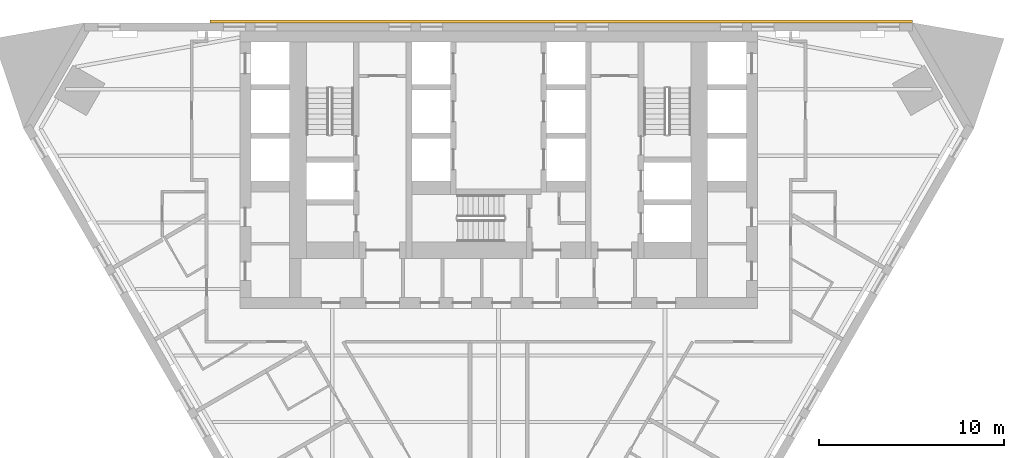
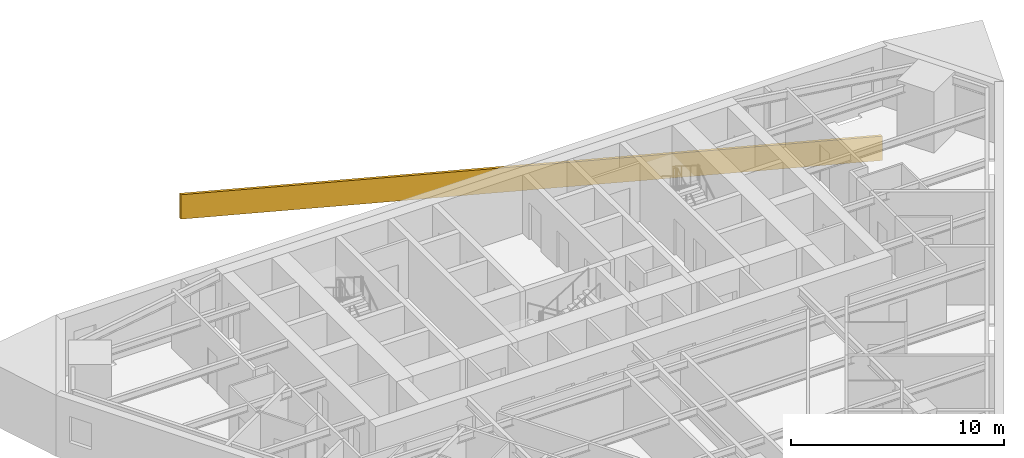
# One storey, part 10 of 11: 1 covering.
"""IFC4 building model written with IfcOpenShell, lengths in metres."""

from ifc_helpers import new_model, si_unit, direction, frame, origin, place, context, subcontext, project, spatial, polyline, outline, extrude, material, layer, layer_set, type_object, element, save


model = new_model("IFC4")

# Units and contexts
model_context = context("Model", 3, precision=1e-05, world=origin(), true_north=direction((0.0, 1.0)))
body_context = subcontext(model_context, "Body", "Model", "MODEL_VIEW")
ifc_project = project(units=[si_unit("LENGTHUNIT", "METRE"), si_unit("AREAUNIT", "SQUARE_METRE"), si_unit("VOLUMEUNIT", "CUBIC_METRE"), si_unit("PLANEANGLEUNIT", "RADIAN"), si_unit("MASSUNIT", "GRAM", prefix="KILO")], contexts=[model_context])

# Site, building, storey
site_placement = place(None, origin())
site = spatial("IfcSite", under=ifc_project, at=site_placement, CompositionType="ELEMENT")
building_placement = place(site_placement, origin())
building = spatial("IfcBuilding", under=site, at=building_placement, Name="Aloe Facet Convention Tower", CompositionType="ELEMENT")
storey_placement = place(building_placement, frame((0.0, 0.0, 38.5)))
storey = spatial("IfcBuildingStorey", under=building, at=storey_placement, Name="L07", CompositionType="ELEMENT", Elevation=38.5)

# Covering
ifc_material = material(Name="Bronze oxide fascia sheet")
ifc_layer = layer(ifc_material, 0.14990234375)
ifc_layer_set = layer_set([ifc_layer], Name="EV-FASCIA-TERR")
covering_type = type_object("IfcCoveringType", Name="EV-FASCIA-TERR", PredefinedType="CLADDING", material=ifc_layer_set)
covering_placement = place(storey_placement, frame((102.39990234375, 135.14990234375, -3.5), z_axis=(0.0, 1.0, 0.0), x_axis=(-0.967420057903, 0.0, 0.253176680536)))
element("IfcCovering", 1, at=covering_placement, inside=storey, type_object=covering_type, Name="Spiral ribbon zone 1 part 1", PredefinedType="CLADDING", context=body_context, shape_type="SweptSolid", body=[
    extrude(outline(polyline([(0.0, 0.0), (39.300425105580324, 0.0), (39.6549095447582, 1.3545297929866358), (0.3544226284648529, 1.3542936064490625), (0.0, 0.0)])), origin(), (0.0, 0.0, -1.0), 0.14990234375),
])

save(model, "model.ifc")
